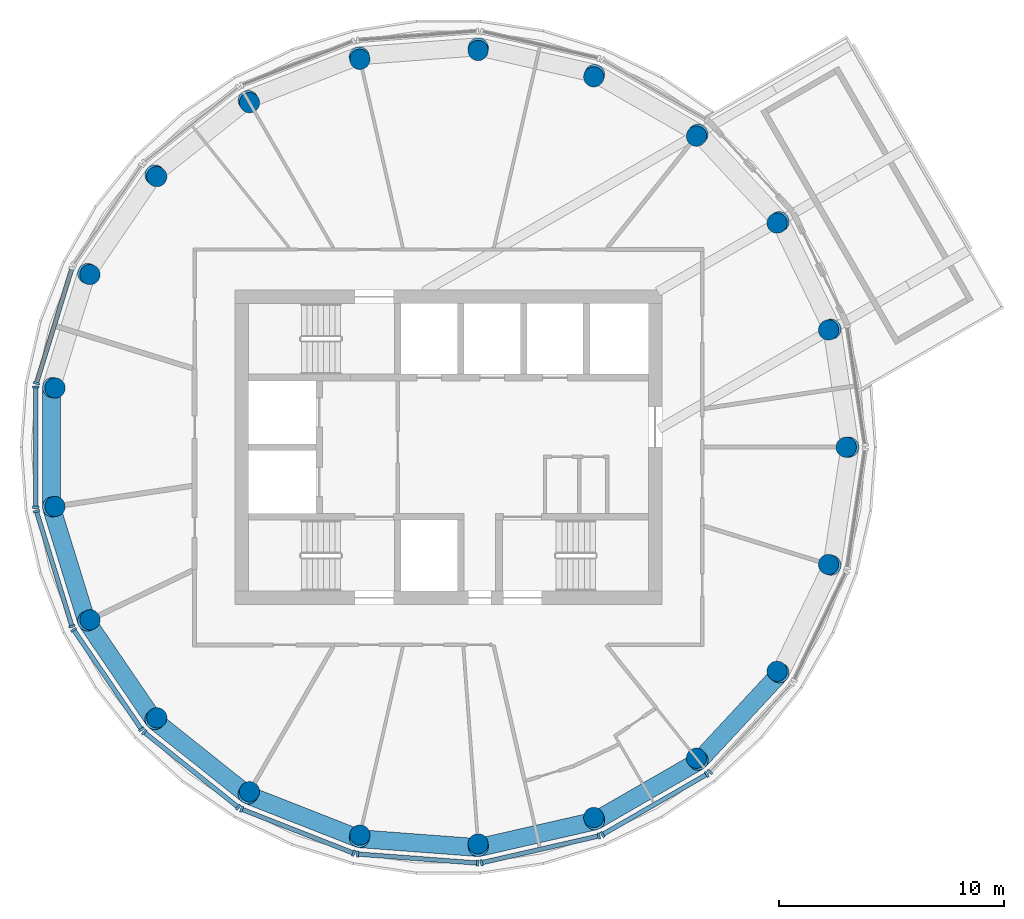
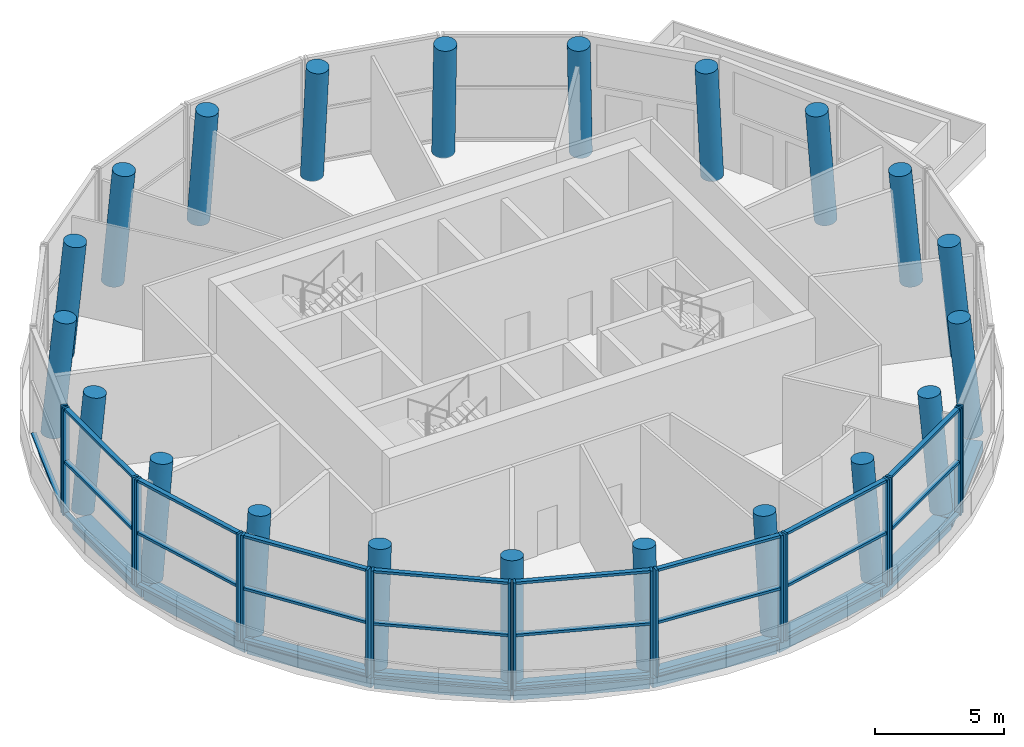
# One storey, part 1 of 10: 43 members, 21 columns, 9 beams, 10 elements without a shape of their own.
"""IFC4 building model written with IfcOpenShell, lengths in metres."""

from ifc_helpers import new_model, si_unit, direction, frame, origin, origin_2d, place, context, subcontext, project, spatial, rectangle, circle, extrude, material, material_profile, profile_set, type_object, element, aggregate, save


model = new_model("IFC4")

# Units and contexts
model_context = context("Model", 3, precision=1e-05, world=origin(), true_north=direction((0.0, 1.0)))
body_context = subcontext(model_context, "Body", "Model", "MODEL_VIEW")
ifc_project = project(units=[si_unit("LENGTHUNIT", "METRE"), si_unit("AREAUNIT", "SQUARE_METRE"), si_unit("VOLUMEUNIT", "CUBIC_METRE"), si_unit("PLANEANGLEUNIT", "RADIAN"), si_unit("MASSUNIT", "GRAM", prefix="KILO")], contexts=[model_context])

# Site, building, storey
site_placement = place(None, origin())
site = spatial("IfcSite", under=ifc_project, at=site_placement, CompositionType="ELEMENT")
building_placement = place(site_placement, origin())
building = spatial("IfcBuilding", under=site, at=building_placement, Name="Tracery Tower", CompositionType="ELEMENT")
storey_placement = place(building_placement, frame((0.0, 0.0, 341.39990234375)))
storey = spatial("IfcBuildingStorey", under=building, at=storey_placement, Name="L88", CompositionType="ELEMENT", Elevation=341.39990234375)

# Columns
ifc_material_1 = material(Name="Concrete C40/50", Category="concrete")
ifc_material_profile_1 = material_profile(ifc_material_1, circle(Radius=0.449951171875, at=origin_2d()), Name="RC D900")
ifc_profile_set_1 = profile_set([ifc_material_profile_1], Name="Concrete C40/50")
column_type = type_object("IfcColumnType", Name="Ring 2 column 900", PredefinedType="COLUMN", material=ifc_profile_set_1)
for number, where, z_axis, x_axis, name in (
    (1, (17.822265625, 0.0, 0.0), (-0.092195730851, 0.0, 0.995740903656), (0.0, -1.0, 0.0), "Ring 2 column 00 at L88"),
    (2, (17.030517578125, 5.253173828125, 0.0), (-0.088143778738, -0.027190419999, 0.99573658933), (0.29477165669, -0.955567721521, 0.0), "Ring 2 column 01 at L88"),
    (3, (14.725341796875, 10.03955078125, 0.0), (-0.076169498522, -0.051950118968, 0.99574062518), (0.563458024042, -0.826144693829, 0.0), "Ring 2 column 02 at L88"),
    (4, (11.112060546875, 13.93408203125, 0.0), (-0.05748711465, -0.072117742889, 0.995738049293), (0.781962895377, -0.623324979648, 0.0), "Ring 2 column 03 at L88"),
    (5, (6.51123046875, 16.590087890625, 0.0), (-0.033673117148, -0.085803424176, 0.995742885278), (0.930882032679, -0.365319916287, 0.0), "Ring 2 column 04 at L88"),
    (6, (1.331787109375, 17.7724609375, 0.0), (-0.006887648729, -0.091970368328, 0.995737923173), (0.997207494681, -0.074680737487, 0.0), "Ring 2 column 05 at L88"),
    (7, (-3.9658203125, 17.37548828125, 0.0), (0.020527921563, -0.089899691584, 0.995739247941), (0.974906961218, 0.222612706217, 0.0), "Ring 2 column 06 at L88"),
    (8, (-8.9111328125, 15.4345703125, 0.0), (0.04609780246, -0.079860841371, 0.995739543567), (0.866071776036, 0.499919672301, 0.0), "Ring 2 column 07 at L88"),
    (9, (-13.064697265625, 12.122314453125, 0.0), (0.067615866765, -0.062754006838, 0.995735923419), (0.680263901316, 0.732967273871, 0.0), "Ring 2 column 08 at L88"),
    (10, (-16.05712890625, 7.73291015625, 0.0), (0.083057185635, -0.040020508417, 0.995740861279), (0.434079857909, 0.900874395772, 0.0), "Ring 2 column 09 at L88"),
    (11, (-17.623046875, 2.65625, 0.0), (0.091160389987, -0.013730330344, 0.995741563522), (0.14893739329, 0.988846627582, 0.0), "Ring 2 column 10 at L88"),
    (12, (-17.623046875, -2.65625, 0.0), (0.091160389987, 0.013730330344, 0.995741563522), (-0.14893739329, 0.988846627582, 0.0), "Ring 2 column 11 at L88"),
    (13, (-16.05712890625, -7.73291015625, 0.0), (0.083057185635, 0.040020508417, 0.995740861279), (-0.434079857909, 0.900874395772, 0.0), "Ring 2 column 12 at L88"),
    (14, (-13.064697265625, -12.122314453125, 0.0), (0.067615866765, 0.062754006838, 0.995735923419), (-0.680263901316, 0.732967273871, 0.0), "Ring 2 column 13 at L88"),
    (15, (-8.9111328125, -15.4345703125, 0.0), (0.04609780246, 0.079860841371, 0.995739543567), (-0.866071776036, 0.499919672301, 0.0), "Ring 2 column 14 at L88"),
    (16, (-3.9658203125, -17.37548828125, 0.0), (0.020527921563, 0.089899691584, 0.995739247941), (-0.974906961218, 0.222612706217, 0.0), "Ring 2 column 15 at L88"),
    (17, (1.331787109375, -17.7724609375, 0.0), (-0.006887648729, 0.091970368328, 0.995737923173), (-0.997207494681, -0.074680737487, 0.0), "Ring 2 column 16 at L88"),
    (18, (6.51123046875, -16.590087890625, 0.0), (-0.033673117148, 0.085803424176, 0.995742885278), (-0.930882032679, -0.365319916287, 0.0), "Ring 2 column 17 at L88"),
    (19, (11.112060546875, -13.93408203125, 0.0), (-0.05748711465, 0.072117742889, 0.995738049293), (-0.781962895377, -0.623324979648, 0.0), "Ring 2 column 18 at L88"),
    (20, (14.725341796875, -10.03955078125, 0.0), (-0.076169498522, 0.051950118968, 0.99574062518), (-0.563458024042, -0.826144693829, 0.0), "Ring 2 column 19 at L88"),
    (21, (17.030517578125, -5.253173828125, 0.0), (-0.088143778738, 0.027190419999, 0.99573658933), (-0.29477165669, -0.955567721521, 0.0), "Ring 2 column 20 at L88"),
):
    element("IfcColumn", number, at=place(storey_placement, frame(where, z_axis=z_axis, x_axis=x_axis)), inside=storey, type_object=column_type, Name=name, PredefinedType="COLUMN", context=body_context, shape_type="SweptSolid", body=[
        extrude(circle(Radius=0.449951171875, at=origin_2d()), origin(), (0.0, 0.0, 1.0), 5.42333984375),
    ])

# Beams
ifc_material_2 = material(Name="Concrete C40/50", Category="concrete")
ifc_material_profile_2 = material_profile(ifc_material_2, rectangle(XDim=0.800048828125, YDim=0.449951171875, at=origin_2d()), Name="RC 800x450")
ifc_profile_set_2 = profile_set([ifc_material_profile_2], Name="Concrete C40/50")
beam_type = type_object("IfcBeamType", Name="Perimeter band beam 800x450", PredefinedType="BEAM", material=ifc_profile_set_2)
beam_1_placement = place(storey_placement, frame((-17.67578125, 2.664306640625, -0.574951171875), z_axis=(0.0, -1.0, 0.0), x_axis=(1.0, 0.0, 0.0)))
element("IfcBeam", 22, at=beam_1_placement, inside=storey, type_object=beam_type, Name="Perimeter beam 2.10 under L88", PredefinedType="BEAM", context=body_context, shape_type="SweptSolid", body=[
    extrude(rectangle(XDim=0.800048828125, YDim=0.449951171875, at=origin_2d()), origin(), (0.0, 0.0, 1.0), 5.32861328125),
])
beam_2_placement = place(storey_placement, frame((-17.67578125, -2.664306640625, -0.574951171875), z_axis=(0.29475870767, -0.955571715913, 0.0), x_axis=(0.955571715913, 0.29475870767, 0.0)))
element("IfcBeam", 23, at=beam_2_placement, inside=storey, type_object=beam_type, Name="Perimeter beam 2.11 under L88", PredefinedType="BEAM", context=body_context, shape_type="SweptSolid", body=[
    extrude(rectangle(XDim=0.800048828125, YDim=0.449951171875, at=origin_2d()), origin(), (0.0, 0.0, 1.0), 5.328369140625),
])
beam_3_placement = place(storey_placement, frame((-16.105224609375, -7.755859375, -0.574951171875), z_axis=(0.563329716078, -0.826232189511, 0.0), x_axis=(0.826232189511, 0.563329716078, 0.0)))
element("IfcBeam", 24, at=beam_3_placement, inside=storey, type_object=beam_type, Name="Perimeter beam 2.12 under L88", PredefinedType="BEAM", context=body_context, shape_type="SweptSolid", body=[
    extrude(rectangle(XDim=0.800048828125, YDim=0.449951171875, at=origin_2d()), origin(), (0.0, 0.0, 1.0), 5.32861328125),
])
beam_4_placement = place(storey_placement, frame((-13.103515625, -12.158447265625, -0.574951171875), z_axis=(0.781815589198, -0.623509730868, 0.0), x_axis=(0.623509730868, 0.781815589198, 0.0)))
element("IfcBeam", 25, at=beam_4_placement, inside=storey, type_object=beam_type, Name="Perimeter beam 2.13 under L88", PredefinedType="BEAM", context=body_context, shape_type="SweptSolid", body=[
    extrude(rectangle(XDim=0.800048828125, YDim=0.449951171875, at=origin_2d()), origin(), (0.0, 0.0, 1.0), 5.328369140625),
])
beam_5_placement = place(storey_placement, frame((-8.937744140625, -15.480712890625, -0.574951171875), z_axis=(0.93088064288, -0.365323457653, 0.0), x_axis=(0.365323457653, 0.93088064288, 0.0)))
element("IfcBeam", 26, at=beam_5_placement, inside=storey, type_object=beam_type, Name="Perimeter beam 2.14 under L88", PredefinedType="BEAM", context=body_context, shape_type="SweptSolid", body=[
    extrude(rectangle(XDim=0.800048828125, YDim=0.449951171875, at=origin_2d()), origin(), (0.0, 0.0, 1.0), 5.328125),
])
beam_6_placement = place(storey_placement, frame((-3.977783203125, -17.42724609375, -0.574951171875), z_axis=(0.997204006356, -0.074727302291, 0.0), x_axis=(0.074727302291, 0.997204006356, 0.0)))
element("IfcBeam", 27, at=beam_6_placement, inside=storey, type_object=beam_type, Name="Perimeter beam 2.15 under L88", PredefinedType="BEAM", context=body_context, shape_type="SweptSolid", body=[
    extrude(rectangle(XDim=0.800048828125, YDim=0.449951171875, at=origin_2d()), origin(), (0.0, 0.0, 1.0), 5.32861328125),
])
beam_7_placement = place(storey_placement, frame((1.3359375, -17.825439453125, -0.574951171875), z_axis=(0.974931256092, 0.222506282821, 0.0), x_axis=(-0.222506282821, 0.974931256092, 0.0)))
element("IfcBeam", 28, at=beam_7_placement, inside=storey, type_object=beam_type, Name="Perimeter beam 2.16 under L88", PredefinedType="BEAM", context=body_context, shape_type="SweptSolid", body=[
    extrude(rectangle(XDim=0.800048828125, YDim=0.449951171875, at=origin_2d()), origin(), (0.0, 0.0, 1.0), 5.328125),
])
beam_8_placement = place(storey_placement, frame((6.530517578125, -16.639892578125, -0.574951171875), z_axis=(0.866026887519, 0.499997430087, 0.0), x_axis=(-0.499997430087, 0.866026887519, 0.0)))
element("IfcBeam", 29, at=beam_8_placement, inside=storey, type_object=beam_type, Name="Perimeter beam 2.17 under L88", PredefinedType="BEAM", context=body_context, shape_type="SweptSolid", body=[
    extrude(rectangle(XDim=0.800048828125, YDim=0.449951171875, at=origin_2d()), origin(), (0.0, 0.0, 1.0), 5.32861328125),
])
beam_9_placement = place(storey_placement, frame((11.145263671875, -13.9755859375, -0.574951171875), z_axis=(0.680150513849, 0.733072491989, 0.0), x_axis=(-0.733072491989, 0.680150513849, 0.0)))
element("IfcBeam", 30, at=beam_9_placement, inside=storey, type_object=beam_type, Name="Perimeter beam 2.18 under L88", PredefinedType="BEAM", context=body_context, shape_type="SweptSolid", body=[
    extrude(rectangle(XDim=0.800048828125, YDim=0.449951171875, at=origin_2d()), origin(), (0.0, 0.0, 1.0), 5.328369140625),
])

# Curtain wall, member
ifc_material_3 = material(Name="Aluminium curtain wall with tinted glass", Category="aluminium")
curtain_wall_type = type_object("IfcCurtainWallType", Name="Sky pool floor glazing curtain wall", PredefinedType="NOTDEFINED", material=ifc_material_3)
curtain_wall_1_placement = place(storey_placement, origin())
curtain_wall_1 = element("IfcCurtainWall", 31, at=curtain_wall_1_placement, inside=storey, type_object=curtain_wall_type, Name="Sky pool floor glazing run 09", PredefinedType="NOTDEFINED")
ifc_material_4 = material(Name="Aluminium, bronze anodised", Category="aluminium")
ifc_material_profile_3 = material_profile(ifc_material_4, rectangle(XDim=0.280029296875, YDim=0.10009765625, at=origin_2d()), Name="Sky pool floor glazing mullion 100 x 280")
ifc_profile_set_3 = profile_set([ifc_material_profile_3], Name="Aluminium, bronze anodised")
member_type_1 = type_object("IfcMemberType", Name="Sky pool floor glazing mullion 100 x 280", PredefinedType="MULLION", material=ifc_profile_set_3)
member_1_placement = place(storey_placement, frame((-18.33837890625, 2.85400390625, 0.0), z_axis=(0.0, 0.0, 1.0), x_axis=(0.955573500875, -0.294752920979, 0.0)))
member_1 = element("IfcMember", 32, at=member_1_placement, type_object=member_type_1, Name="CWB3 mullion 2", PredefinedType="MULLION", context=body_context, shape_type="SweptSolid", body=[
    extrude(rectangle(XDim=0.280029296875, YDim=0.10009765625, at=origin_2d()), origin(), (0.0, 0.0, 1.0), 5.050048828125),
])

# Curtain wall, members
curtain_wall_2_placement = place(storey_placement, origin())
curtain_wall_2 = element("IfcCurtainWall", 33, at=curtain_wall_2_placement, inside=storey, type_object=curtain_wall_type, Name="Sky pool floor glazing run 10", PredefinedType="NOTDEFINED")
member_2_placement = place(storey_placement, frame((-18.36474609375, 2.677978515625, 0.0), z_axis=(0.0, 0.0, 1.0), x_axis=(1.0, 0.0, 0.0)))
member_2 = element("IfcMember", 34, at=member_2_placement, type_object=member_type_1, Name="CWB3 mullion 1", PredefinedType="MULLION", context=body_context, shape_type="SweptSolid", body=[
    extrude(rectangle(XDim=0.280029296875, YDim=0.10009765625, at=origin_2d()), origin(), (0.0, 0.0, 1.0), 5.050048828125),
])
member_3_placement = place(storey_placement, frame((-18.36474609375, -2.677978515625, 0.0), z_axis=(0.0, 0.0, 1.0), x_axis=(1.0, 0.0, 0.0)))
member_3 = element("IfcMember", 35, at=member_3_placement, type_object=member_type_1, Name="CWB3 mullion 2", PredefinedType="MULLION", context=body_context, shape_type="SweptSolid", body=[
    extrude(rectangle(XDim=0.280029296875, YDim=0.10009765625, at=origin_2d()), origin(), (0.0, 0.0, 1.0), 5.050048828125),
])

curtain_wall_3_placement = place(storey_placement, origin())
curtain_wall_3 = element("IfcCurtainWall", 36, at=curtain_wall_3_placement, inside=storey, type_object=curtain_wall_type, Name="Sky pool floor glazing run 11", PredefinedType="NOTDEFINED")
member_4_placement = place(storey_placement, frame((-18.33837890625, -2.85400390625, 0.0), z_axis=(0.0, 0.0, 1.0), x_axis=(0.955573500875, 0.294752920979, 0.0)))
member_4 = element("IfcMember", 37, at=member_4_placement, type_object=member_type_1, Name="CWB3 mullion 1", PredefinedType="MULLION", context=body_context, shape_type="SweptSolid", body=[
    extrude(rectangle(XDim=0.280029296875, YDim=0.10009765625, at=origin_2d()), origin(), (0.0, 0.0, 1.0), 5.050048828125),
])
member_5_placement = place(storey_placement, frame((-16.759521484375, -7.97216796875, 0.0), z_axis=(0.0, 0.0, 1.0), x_axis=(0.955573500875, 0.294752920979, 0.0)))
member_5 = element("IfcMember", 38, at=member_5_placement, type_object=member_type_1, Name="CWB3 mullion 2", PredefinedType="MULLION", context=body_context, shape_type="SweptSolid", body=[
    extrude(rectangle(XDim=0.280029296875, YDim=0.10009765625, at=origin_2d()), origin(), (0.0, 0.0, 1.0), 5.050048828125),
])

curtain_wall_4_placement = place(storey_placement, origin())
curtain_wall_4 = element("IfcCurtainWall", 39, at=curtain_wall_4_placement, inside=storey, type_object=curtain_wall_type, Name="Sky pool floor glazing run 12", PredefinedType="NOTDEFINED")
member_6_placement = place(storey_placement, frame((-16.68212890625, -8.132568359375, 0.0), z_axis=(0.0, 0.0, 1.0), x_axis=(0.826244791498, 0.563311232377, 0.0)))
member_6 = element("IfcMember", 40, at=member_6_placement, type_object=member_type_1, Name="CWB3 mullion 1", PredefinedType="MULLION", context=body_context, shape_type="SweptSolid", body=[
    extrude(rectangle(XDim=0.280029296875, YDim=0.10009765625, at=origin_2d()), origin(), (0.0, 0.0, 1.0), 5.050048828125),
])
member_7_placement = place(storey_placement, frame((-13.6650390625, -12.55810546875, 0.0), z_axis=(0.0, 0.0, 1.0), x_axis=(0.826244791498, 0.563311232377, 0.0)))
member_7 = element("IfcMember", 41, at=member_7_placement, type_object=member_type_1, Name="CWB3 mullion 2", PredefinedType="MULLION", context=body_context, shape_type="SweptSolid", body=[
    extrude(rectangle(XDim=0.280029296875, YDim=0.10009765625, at=origin_2d()), origin(), (0.0, 0.0, 1.0), 5.050048828125),
])

curtain_wall_5_placement = place(storey_placement, origin())
curtain_wall_5 = element("IfcCurtainWall", 42, at=curtain_wall_5_placement, inside=storey, type_object=curtain_wall_type, Name="Sky pool floor glazing run 13", PredefinedType="NOTDEFINED")
member_8_placement = place(storey_placement, frame((-13.5439453125, -12.6884765625, 0.0), z_axis=(0.0, 0.0, 1.0), x_axis=(0.623502995262, 0.781820960898, 0.0)))
member_8 = element("IfcMember", 43, at=member_8_placement, type_object=member_type_1, Name="CWB3 mullion 1", PredefinedType="MULLION", context=body_context, shape_type="SweptSolid", body=[
    extrude(rectangle(XDim=0.280029296875, YDim=0.10009765625, at=origin_2d()), origin(), (0.0, 0.0, 1.0), 5.050048828125),
])
member_9_placement = place(storey_placement, frame((-9.3564453125, -16.02783203125, 0.0), z_axis=(0.0, 0.0, 1.0), x_axis=(0.623502995262, 0.781820960898, 0.0)))
member_9 = element("IfcMember", 44, at=member_9_placement, type_object=member_type_1, Name="CWB3 mullion 2", PredefinedType="MULLION", context=body_context, shape_type="SweptSolid", body=[
    extrude(rectangle(XDim=0.280029296875, YDim=0.10009765625, at=origin_2d()), origin(), (0.0, 0.0, 1.0), 5.050048828125),
])

curtain_wall_6_placement = place(storey_placement, origin())
curtain_wall_6 = element("IfcCurtainWall", 45, at=curtain_wall_6_placement, inside=storey, type_object=curtain_wall_type, Name="Sky pool floor glazing run 14", PredefinedType="NOTDEFINED")
member_10_placement = place(storey_placement, frame((-9.202392578125, -16.116943359375, 0.0), z_axis=(0.0, 0.0, 1.0), x_axis=(0.365331398589, 0.930877526426, 0.0)))
member_10 = element("IfcMember", 46, at=member_10_placement, type_object=member_type_1, Name="CWB3 mullion 1", PredefinedType="MULLION", context=body_context, shape_type="SweptSolid", body=[
    extrude(rectangle(XDim=0.280029296875, YDim=0.10009765625, at=origin_2d()), origin(), (0.0, 0.0, 1.0), 5.050048828125),
])
member_11_placement = place(storey_placement, frame((-4.216552734375, -18.07373046875, 0.0), z_axis=(0.0, 0.0, 1.0), x_axis=(0.365331398589, 0.930877526426, 0.0)))
member_11 = element("IfcMember", 47, at=member_11_placement, type_object=member_type_1, Name="CWB3 mullion 2", PredefinedType="MULLION", context=body_context, shape_type="SweptSolid", body=[
    extrude(rectangle(XDim=0.280029296875, YDim=0.10009765625, at=origin_2d()), origin(), (0.0, 0.0, 1.0), 5.050048828125),
])

curtain_wall_7_placement = place(storey_placement, origin())
curtain_wall_7 = element("IfcCurtainWall", 48, at=curtain_wall_7_placement, inside=storey, type_object=curtain_wall_type, Name="Sky pool floor glazing run 15", PredefinedType="NOTDEFINED")
member_12_placement = place(storey_placement, frame((-4.04296875, -18.11328125, 0.0), z_axis=(0.0, 0.0, 1.0), x_axis=(0.074742561292, 0.997202862777, 0.0)))
member_12 = element("IfcMember", 49, at=member_12_placement, type_object=member_type_1, Name="CWB3 mullion 1", PredefinedType="MULLION", context=body_context, shape_type="SweptSolid", body=[
    extrude(rectangle(XDim=0.280029296875, YDim=0.10009765625, at=origin_2d()), origin(), (0.0, 0.0, 1.0), 5.050048828125),
])
member_13_placement = place(storey_placement, frame((1.298095703125, -18.513671875, 0.0), z_axis=(0.0, 0.0, 1.0), x_axis=(0.074742561292, 0.997202862777, 0.0)))
member_13 = element("IfcMember", 50, at=member_13_placement, type_object=member_type_1, Name="CWB3 mullion 2", PredefinedType="MULLION", context=body_context, shape_type="SweptSolid", body=[
    extrude(rectangle(XDim=0.280029296875, YDim=0.10009765625, at=origin_2d()), origin(), (0.0, 0.0, 1.0), 5.050048828125),
])

curtain_wall_8_placement = place(storey_placement, origin())
curtain_wall_8 = element("IfcCurtainWall", 51, at=curtain_wall_8_placement, inside=storey, type_object=curtain_wall_type, Name="Sky pool floor glazing run 16", PredefinedType="NOTDEFINED")
member_14_placement = place(storey_placement, frame((1.4755859375, -18.500244140625, 0.0), z_axis=(0.0, 0.0, 1.0), x_axis=(-0.22252171557, 0.974927733783, 0.0)))
member_14 = element("IfcMember", 52, at=member_14_placement, type_object=member_type_1, Name="CWB3 mullion 1", PredefinedType="MULLION", context=body_context, shape_type="SweptSolid", body=[
    extrude(rectangle(XDim=0.280029296875, YDim=0.10009765625, at=origin_2d()), origin(), (0.0, 0.0, 1.0), 5.050048828125),
])
member_15_placement = place(storey_placement, frame((6.697509765625, -17.308349609375, 0.0), z_axis=(0.0, 0.0, 1.0), x_axis=(-0.22252171557, 0.974927733783, 0.0)))
member_15 = element("IfcMember", 53, at=member_15_placement, type_object=member_type_1, Name="CWB3 mullion 2", PredefinedType="MULLION", context=body_context, shape_type="SweptSolid", body=[
    extrude(rectangle(XDim=0.280029296875, YDim=0.10009765625, at=origin_2d()), origin(), (0.0, 0.0, 1.0), 5.050048828125),
])

curtain_wall_9_placement = place(storey_placement, origin())
curtain_wall_9 = element("IfcCurtainWall", 54, at=curtain_wall_9_placement, inside=storey, type_object=curtain_wall_type, Name="Sky pool floor glazing run 17", PredefinedType="NOTDEFINED")
member_16_placement = place(storey_placement, frame((6.863037109375, -17.243408203125, 0.0), z_axis=(0.0, 0.0, 1.0), x_axis=(-0.500008555939, 0.866020463954, 0.0)))
member_16 = element("IfcMember", 55, at=member_16_placement, type_object=member_type_1, Name="CWB3 mullion 1", PredefinedType="MULLION", context=body_context, shape_type="SweptSolid", body=[
    extrude(rectangle(XDim=0.280029296875, YDim=0.10009765625, at=origin_2d()), origin(), (0.0, 0.0, 1.0), 5.050048828125),
])
member_17_placement = place(storey_placement, frame((11.501708984375, -14.565185546875, 0.0), z_axis=(0.0, 0.0, 1.0), x_axis=(-0.500008555939, 0.866020463954, 0.0)))
member_17 = element("IfcMember", 56, at=member_17_placement, type_object=member_type_1, Name="CWB3 mullion 2", PredefinedType="MULLION", context=body_context, shape_type="SweptSolid", body=[
    extrude(rectangle(XDim=0.280029296875, YDim=0.10009765625, at=origin_2d()), origin(), (0.0, 0.0, 1.0), 5.050048828125),
])

# Curtain wall, member
curtain_wall_10_placement = place(storey_placement, origin())
curtain_wall_10 = element("IfcCurtainWall", 57, at=curtain_wall_10_placement, inside=storey, type_object=curtain_wall_type, Name="Sky pool floor glazing run 18", PredefinedType="NOTDEFINED")
member_18_placement = place(storey_placement, frame((11.640869140625, -14.454345703125, 0.0), z_axis=(0.0, 0.0, 1.0), x_axis=(-0.733050635226, 0.680174070511, 0.0)))
member_18 = element("IfcMember", 58, at=member_18_placement, type_object=member_type_1, Name="CWB3 mullion 1", PredefinedType="MULLION", context=body_context, shape_type="SweptSolid", body=[
    extrude(rectangle(XDim=0.280029296875, YDim=0.10009765625, at=origin_2d()), origin(), (0.0, 0.0, 1.0), 5.050048828125),
])
aggregate(curtain_wall_10, [member_18])

# Member
ifc_material_5 = material(Name="Aluminium, bronze anodised", Category="aluminium")
ifc_material_profile_4 = material_profile(ifc_material_5, rectangle(XDim=0.199951171875, YDim=0.1201171875, at=origin_2d()), Name="Sky pool floor glazing transom 120 x 200")
ifc_profile_set_4 = profile_set([ifc_material_profile_4], Name="Aluminium, bronze anodised")
member_type_2 = type_object("IfcMemberType", Name="Sky pool floor glazing transom 120 x 200", PredefinedType="USERDEFINED", material=ifc_profile_set_4)
member_19_placement = place(storey_placement, frame((-16.774169921875, 7.924560546875, 0.06005859375), z_axis=(-0.294758140274, -0.955571890933, 0.0), x_axis=(0.955571890933, -0.294758140274, 0.0)))
member_19 = element("IfcMember", 59, at=member_19_placement, type_object=member_type_2, Name="CWB3 transom 1.1", ObjectType="TRANSOM", PredefinedType="USERDEFINED", context=body_context, shape_type="SweptSolid", body=[
    extrude(rectangle(XDim=0.199951171875, YDim=0.1201171875, at=origin_2d()), origin(), (0.0, 0.0, 1.0), 5.25634765625),
])

aggregate(curtain_wall_1, [member_1, member_19])

member_20_placement = place(storey_placement, frame((-18.36474609375, 2.6279296875, 0.06005859375), z_axis=(0.0, -1.0, 0.0), x_axis=(1.0, 0.0, 0.0)))
member_20 = element("IfcMember", 60, at=member_20_placement, type_object=member_type_2, Name="CWB3 transom 1.1", ObjectType="TRANSOM", PredefinedType="USERDEFINED", context=body_context, shape_type="SweptSolid", body=[
    extrude(rectangle(XDim=0.199951171875, YDim=0.1201171875, at=origin_2d()), origin(), (0.0, 0.0, 1.0), 5.255859375),
])

member_21_placement = place(storey_placement, frame((-18.36474609375, 2.6279296875, 2.525146484375), z_axis=(0.0, -1.0, 0.0), x_axis=(1.0, 0.0, 0.0)))
member_21 = element("IfcMember", 61, at=member_21_placement, type_object=member_type_2, Name="CWB3 transom 1.2", ObjectType="TRANSOM", PredefinedType="USERDEFINED", context=body_context, shape_type="SweptSolid", body=[
    extrude(rectangle(XDim=0.199951171875, YDim=0.1201171875, at=origin_2d()), origin(), (0.0, 0.0, 1.0), 5.255859375),
])

member_22_placement = place(storey_placement, frame((-18.36474609375, 2.6279296875, 4.989990234375), z_axis=(0.0, -1.0, 0.0), x_axis=(1.0, 0.0, 0.0)))
member_22 = element("IfcMember", 62, at=member_22_placement, type_object=member_type_2, Name="CWB3 transom 1.3", ObjectType="TRANSOM", PredefinedType="USERDEFINED", context=body_context, shape_type="SweptSolid", body=[
    extrude(rectangle(XDim=0.199951171875, YDim=0.1201171875, at=origin_2d()), origin(), (0.0, 0.0, 1.0), 5.255859375),
])

aggregate(curtain_wall_2, [member_2, member_3, member_20, member_21, member_22])

member_23_placement = place(storey_placement, frame((-18.323486328125, -2.90185546875, 0.06005859375), z_axis=(0.294758140274, -0.955571890933, 0.0), x_axis=(0.955571890933, 0.294758140274, 0.0)))
member_23 = element("IfcMember", 63, at=member_23_placement, type_object=member_type_2, Name="CWB3 transom 1.1", ObjectType="TRANSOM", PredefinedType="USERDEFINED", context=body_context, shape_type="SweptSolid", body=[
    extrude(rectangle(XDim=0.199951171875, YDim=0.1201171875, at=origin_2d()), origin(), (0.0, 0.0, 1.0), 5.25634765625),
])

member_24_placement = place(storey_placement, frame((-18.323486328125, -2.90185546875, 2.525146484375), z_axis=(0.294758140274, -0.955571890933, 0.0), x_axis=(0.955571890933, 0.294758140274, 0.0)))
member_24 = element("IfcMember", 64, at=member_24_placement, type_object=member_type_2, Name="CWB3 transom 1.2", ObjectType="TRANSOM", PredefinedType="USERDEFINED", context=body_context, shape_type="SweptSolid", body=[
    extrude(rectangle(XDim=0.199951171875, YDim=0.1201171875, at=origin_2d()), origin(), (0.0, 0.0, 1.0), 5.25634765625),
])

member_25_placement = place(storey_placement, frame((-18.323486328125, -2.90185546875, 4.989990234375), z_axis=(0.294758140274, -0.955571890933, 0.0), x_axis=(0.955571890933, 0.294758140274, 0.0)))
member_25 = element("IfcMember", 65, at=member_25_placement, type_object=member_type_2, Name="CWB3 transom 1.3", ObjectType="TRANSOM", PredefinedType="USERDEFINED", context=body_context, shape_type="SweptSolid", body=[
    extrude(rectangle(XDim=0.199951171875, YDim=0.1201171875, at=origin_2d()), origin(), (0.0, 0.0, 1.0), 5.25634765625),
])

aggregate(curtain_wall_3, [member_4, member_5, member_23, member_24, member_25])

member_26_placement = place(storey_placement, frame((-16.654052734375, -8.173828125, 0.06005859375), z_axis=(0.563331059473, -0.826231273575, 0.0), x_axis=(0.826231273575, 0.563331059473, 0.0)))
member_26 = element("IfcMember", 66, at=member_26_placement, type_object=member_type_2, Name="CWB3 transom 1.1", ObjectType="TRANSOM", PredefinedType="USERDEFINED", context=body_context, shape_type="SweptSolid", body=[
    extrude(rectangle(XDim=0.199951171875, YDim=0.1201171875, at=origin_2d()), origin(), (0.0, 0.0, 1.0), 5.256103515625),
])

member_27_placement = place(storey_placement, frame((-16.654052734375, -8.173828125, 2.525146484375), z_axis=(0.563331059473, -0.826231273575, 0.0), x_axis=(0.826231273575, 0.563331059473, 0.0)))
member_27 = element("IfcMember", 67, at=member_27_placement, type_object=member_type_2, Name="CWB3 transom 1.2", ObjectType="TRANSOM", PredefinedType="USERDEFINED", context=body_context, shape_type="SweptSolid", body=[
    extrude(rectangle(XDim=0.199951171875, YDim=0.1201171875, at=origin_2d()), origin(), (0.0, 0.0, 1.0), 5.256103515625),
])

member_28_placement = place(storey_placement, frame((-16.654052734375, -8.173828125, 4.989990234375), z_axis=(0.563331059473, -0.826231273575, 0.0), x_axis=(0.826231273575, 0.563331059473, 0.0)))
member_28 = element("IfcMember", 68, at=member_28_placement, type_object=member_type_2, Name="CWB3 transom 1.3", ObjectType="TRANSOM", PredefinedType="USERDEFINED", context=body_context, shape_type="SweptSolid", body=[
    extrude(rectangle(XDim=0.199951171875, YDim=0.1201171875, at=origin_2d()), origin(), (0.0, 0.0, 1.0), 5.256103515625),
])

aggregate(curtain_wall_4, [member_6, member_7, member_26, member_27, member_28])

member_29_placement = place(storey_placement, frame((-13.5048828125, -12.719482421875, 0.06005859375), z_axis=(0.781810472413, -0.623516146724, 0.0), x_axis=(0.623516146724, 0.781810472413, 0.0)))
member_29 = element("IfcMember", 69, at=member_29_placement, type_object=member_type_2, Name="CWB3 transom 1.1", ObjectType="TRANSOM", PredefinedType="USERDEFINED", context=body_context, shape_type="SweptSolid", body=[
    extrude(rectangle(XDim=0.199951171875, YDim=0.1201171875, at=origin_2d()), origin(), (0.0, 0.0, 1.0), 5.25634765625),
])

member_30_placement = place(storey_placement, frame((-13.5048828125, -12.719482421875, 2.525146484375), z_axis=(0.781810472413, -0.623516146724, 0.0), x_axis=(0.623516146724, 0.781810472413, 0.0)))
member_30 = element("IfcMember", 70, at=member_30_placement, type_object=member_type_2, Name="CWB3 transom 1.2", ObjectType="TRANSOM", PredefinedType="USERDEFINED", context=body_context, shape_type="SweptSolid", body=[
    extrude(rectangle(XDim=0.199951171875, YDim=0.1201171875, at=origin_2d()), origin(), (0.0, 0.0, 1.0), 5.25634765625),
])

member_31_placement = place(storey_placement, frame((-13.5048828125, -12.719482421875, 4.989990234375), z_axis=(0.781810472413, -0.623516146724, 0.0), x_axis=(0.623516146724, 0.781810472413, 0.0)))
member_31 = element("IfcMember", 71, at=member_31_placement, type_object=member_type_2, Name="CWB3 transom 1.3", ObjectType="TRANSOM", PredefinedType="USERDEFINED", context=body_context, shape_type="SweptSolid", body=[
    extrude(rectangle(XDim=0.199951171875, YDim=0.1201171875, at=origin_2d()), origin(), (0.0, 0.0, 1.0), 5.25634765625),
])

aggregate(curtain_wall_5, [member_8, member_9, member_29, member_30, member_31])

member_32_placement = place(storey_placement, frame((-9.15576171875, -16.13525390625, 0.06005859375), z_axis=(0.930881850355, -0.365320380871, 0.0), x_axis=(0.365320380871, 0.930881850355, 0.0)))
member_32 = element("IfcMember", 72, at=member_32_placement, type_object=member_type_2, Name="CWB3 transom 1.1", ObjectType="TRANSOM", PredefinedType="USERDEFINED", context=body_context, shape_type="SweptSolid", body=[
    extrude(rectangle(XDim=0.199951171875, YDim=0.1201171875, at=origin_2d()), origin(), (0.0, 0.0, 1.0), 5.256103515625),
])

member_33_placement = place(storey_placement, frame((-9.15576171875, -16.13525390625, 2.525146484375), z_axis=(0.930881850355, -0.365320380871, 0.0), x_axis=(0.365320380871, 0.930881850355, 0.0)))
member_33 = element("IfcMember", 73, at=member_33_placement, type_object=member_type_2, Name="CWB3 transom 1.2", ObjectType="TRANSOM", PredefinedType="USERDEFINED", context=body_context, shape_type="SweptSolid", body=[
    extrude(rectangle(XDim=0.199951171875, YDim=0.1201171875, at=origin_2d()), origin(), (0.0, 0.0, 1.0), 5.256103515625),
])

member_34_placement = place(storey_placement, frame((-9.15576171875, -16.13525390625, 4.989990234375), z_axis=(0.930881850355, -0.365320380871, 0.0), x_axis=(0.365320380871, 0.930881850355, 0.0)))
member_34 = element("IfcMember", 74, at=member_34_placement, type_object=member_type_2, Name="CWB3 transom 1.3", ObjectType="TRANSOM", PredefinedType="USERDEFINED", context=body_context, shape_type="SweptSolid", body=[
    extrude(rectangle(XDim=0.199951171875, YDim=0.1201171875, at=origin_2d()), origin(), (0.0, 0.0, 1.0), 5.256103515625),
])

aggregate(curtain_wall_6, [member_10, member_11, member_32, member_33, member_34])

member_35_placement = place(storey_placement, frame((-3.9931640625, -18.116943359375, 0.06005859375), z_axis=(0.997203378792, -0.074735676393, 0.0), x_axis=(0.074735676393, 0.997203378792, 0.0)))
member_35 = element("IfcMember", 75, at=member_35_placement, type_object=member_type_2, Name="CWB3 transom 1.1", ObjectType="TRANSOM", PredefinedType="USERDEFINED", context=body_context, shape_type="SweptSolid", body=[
    extrude(rectangle(XDim=0.199951171875, YDim=0.1201171875, at=origin_2d()), origin(), (0.0, 0.0, 1.0), 5.256103515625),
])

member_36_placement = place(storey_placement, frame((-3.9931640625, -18.116943359375, 2.525146484375), z_axis=(0.997203378792, -0.074735676393, 0.0), x_axis=(0.074735676393, 0.997203378792, 0.0)))
member_36 = element("IfcMember", 76, at=member_36_placement, type_object=member_type_2, Name="CWB3 transom 1.2", ObjectType="TRANSOM", PredefinedType="USERDEFINED", context=body_context, shape_type="SweptSolid", body=[
    extrude(rectangle(XDim=0.199951171875, YDim=0.1201171875, at=origin_2d()), origin(), (0.0, 0.0, 1.0), 5.256103515625),
])

member_37_placement = place(storey_placement, frame((-3.9931640625, -18.116943359375, 4.989990234375), z_axis=(0.997203378792, -0.074735676393, 0.0), x_axis=(0.074735676393, 0.997203378792, 0.0)))
member_37 = element("IfcMember", 77, at=member_37_placement, type_object=member_type_2, Name="CWB3 transom 1.3", ObjectType="TRANSOM", PredefinedType="USERDEFINED", context=body_context, shape_type="SweptSolid", body=[
    extrude(rectangle(XDim=0.199951171875, YDim=0.1201171875, at=origin_2d()), origin(), (0.0, 0.0, 1.0), 5.256103515625),
])

aggregate(curtain_wall_7, [member_12, member_13, member_35, member_36, member_37])

member_38_placement = place(storey_placement, frame((1.5244140625, -18.4892578125, 0.06005859375), z_axis=(0.974923904322, 0.222538492811, 0.0), x_axis=(-0.222538492811, 0.974923904322, 0.0)))
member_38 = element("IfcMember", 78, at=member_38_placement, type_object=member_type_2, Name="CWB3 transom 1.1", ObjectType="TRANSOM", PredefinedType="USERDEFINED", context=body_context, shape_type="SweptSolid", body=[
    extrude(rectangle(XDim=0.199951171875, YDim=0.1201171875, at=origin_2d()), origin(), (0.0, 0.0, 1.0), 5.256103515625),
])

member_39_placement = place(storey_placement, frame((1.5244140625, -18.4892578125, 2.525146484375), z_axis=(0.974923904322, 0.222538492811, 0.0), x_axis=(-0.222538492811, 0.974923904322, 0.0)))
member_39 = element("IfcMember", 79, at=member_39_placement, type_object=member_type_2, Name="CWB3 transom 1.2", ObjectType="TRANSOM", PredefinedType="USERDEFINED", context=body_context, shape_type="SweptSolid", body=[
    extrude(rectangle(XDim=0.199951171875, YDim=0.1201171875, at=origin_2d()), origin(), (0.0, 0.0, 1.0), 5.256103515625),
])

member_40_placement = place(storey_placement, frame((1.5244140625, -18.4892578125, 4.989990234375), z_axis=(0.974923904322, 0.222538492811, 0.0), x_axis=(-0.222538492811, 0.974923904322, 0.0)))
member_40 = element("IfcMember", 80, at=member_40_placement, type_object=member_type_2, Name="CWB3 transom 1.3", ObjectType="TRANSOM", PredefinedType="USERDEFINED", context=body_context, shape_type="SweptSolid", body=[
    extrude(rectangle(XDim=0.199951171875, YDim=0.1201171875, at=origin_2d()), origin(), (0.0, 0.0, 1.0), 5.256103515625),
])

aggregate(curtain_wall_8, [member_14, member_15, member_38, member_39, member_40])

member_41_placement = place(storey_placement, frame((6.906494140625, -17.218505859375, 0.06005859375), z_axis=(0.866007671734, 0.500030711554, 0.0), x_axis=(-0.500030711554, 0.866007671734, 0.0)))
member_41 = element("IfcMember", 81, at=member_41_placement, type_object=member_type_2, Name="CWB3 transom 1.1", ObjectType="TRANSOM", PredefinedType="USERDEFINED", context=body_context, shape_type="SweptSolid", body=[
    extrude(rectangle(XDim=0.199951171875, YDim=0.1201171875, at=origin_2d()), origin(), (0.0, 0.0, 1.0), 5.256103515625),
])

member_42_placement = place(storey_placement, frame((6.906494140625, -17.218505859375, 2.525146484375), z_axis=(0.866007671734, 0.500030711554, 0.0), x_axis=(-0.500030711554, 0.866007671734, 0.0)))
member_42 = element("IfcMember", 82, at=member_42_placement, type_object=member_type_2, Name="CWB3 transom 1.2", ObjectType="TRANSOM", PredefinedType="USERDEFINED", context=body_context, shape_type="SweptSolid", body=[
    extrude(rectangle(XDim=0.199951171875, YDim=0.1201171875, at=origin_2d()), origin(), (0.0, 0.0, 1.0), 5.256103515625),
])

member_43_placement = place(storey_placement, frame((6.906494140625, -17.218505859375, 4.989990234375), z_axis=(0.866007671734, 0.500030711554, 0.0), x_axis=(-0.500030711554, 0.866007671734, 0.0)))
member_43 = element("IfcMember", 83, at=member_43_placement, type_object=member_type_2, Name="CWB3 transom 1.3", ObjectType="TRANSOM", PredefinedType="USERDEFINED", context=body_context, shape_type="SweptSolid", body=[
    extrude(rectangle(XDim=0.199951171875, YDim=0.1201171875, at=origin_2d()), origin(), (0.0, 0.0, 1.0), 5.256103515625),
])

aggregate(curtain_wall_9, [member_16, member_17, member_41, member_42, member_43])

save(model, "model.ifc")
